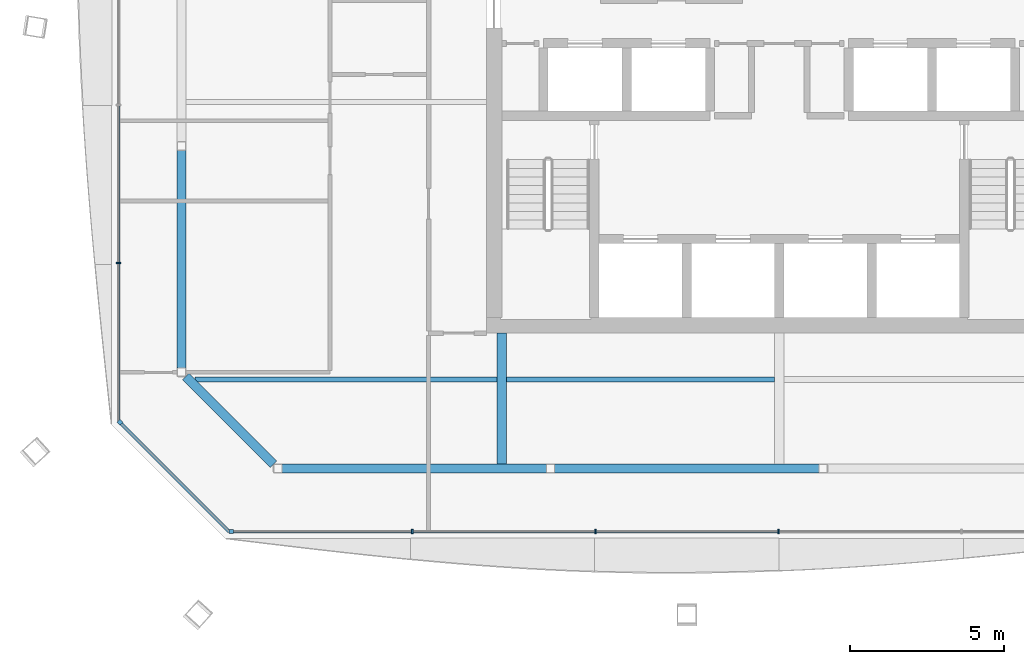
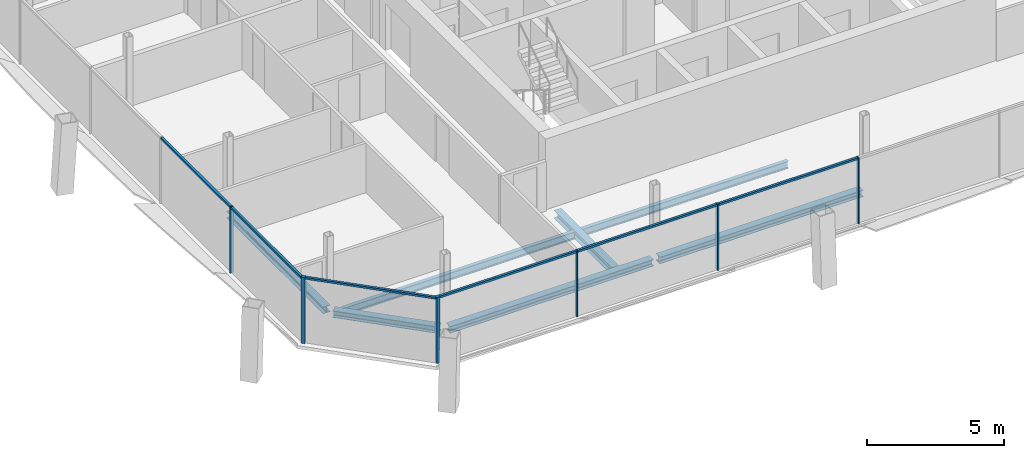
# One storey, part 4 of 17: 12 members, 7 beams, 3 elements without a shape of their own.
"""IFC4 building model written with IfcOpenShell, lengths in metres."""

import ifcopenshell
import ifcopenshell.guid

model = None  # the IFC model being written
_history = None  # IfcOwnerHistory: only IFC2X3 demands one
_inside = {}  # id of a spatial element -> (the spatial element, [elements in it])
_under = {}  # id of a project, library or spatial element -> (it, [spatial elements below it])
_declared = {}  # id of a project -> (the project, [libraries it declares])
_typed = {}  # id of a type object -> (the type object, [elements of that type])
_made_of = {}  # id of a material, layer set ... -> (it, [elements and type objects made of it])


def new_model(schema):
    """Start an empty IFC model of exactly this schema.

    Asked for "IFC4X3", IfcOpenShell would pick the latest addendum, in which some entities
    have other attributes; the version numbers below select the first issue.
    IFC2X3 requires an IfcOwnerHistory on every rooted entity: one is made here for all.
    """
    global model, _history
    if schema == "IFC4X3":
        model = ifcopenshell.file(schema_version=(4, 3, 0, 0))
    else:
        model = ifcopenshell.file(schema=schema)
    _inside.clear()
    _under.clear()
    _declared.clear()
    _typed.clear()
    _made_of.clear()
    _history = None
    if model.schema == "IFC2X3":
        org = make("IfcOrganization", Name="unknown")
        user = make(
            "IfcPersonAndOrganization",
            ThePerson=make("IfcPerson", FamilyName="unknown"),
            TheOrganization=org,
        )
        app = make(
            "IfcApplication",
            ApplicationDeveloper=org,
            Version="unknown",
            ApplicationFullName="unknown",
            ApplicationIdentifier="unknown",
        )
        _history = make(
            "IfcOwnerHistory",
            OwningUser=user,
            OwningApplication=app,
            ChangeAction="ADDED",
            CreationDate=0,
        )
    return model


def make(cls, **values):
    """One entity of the class cls with the attributes given. An attribute that is None is left unset."""
    return model.create_entity(
        cls, **{name: value for name, value in values.items() if value is not None}
    )


def rooted(cls, **values):
    """An entity with a GlobalId (a new one), such as an element, a storey or a relation."""
    return make(cls, GlobalId=ifcopenshell.guid.new(), OwnerHistory=_history, **values)


def si_unit(unit_type, name, prefix=None):
    """IfcSIUnit, for example si_unit("LENGTHUNIT", "METRE", prefix="MILLI")."""
    return make("IfcSIUnit", UnitType=unit_type, Prefix=prefix, Name=name)


def assignment(units):
    """IfcUnitAssignment: the units of a project."""
    return None if units is None else make("IfcUnitAssignment", Units=units)


def point(xyz):
    """IfcCartesianPoint."""
    return None if xyz is None else make("IfcCartesianPoint", Coordinates=xyz)


def direction(xyz):
    """IfcDirection."""
    return None if xyz is None else make("IfcDirection", DirectionRatios=xyz)


def frame(location, z_axis=None, x_axis=None):
    """IfcAxis2Placement3D, a coordinate frame: its origin and axes. An axis left out is left unset."""
    return make(
        "IfcAxis2Placement3D",
        Location=point(location),
        Axis=direction(z_axis),
        RefDirection=direction(x_axis),
    )


def frame_2d(location, x_axis=None):
    """IfcAxis2Placement2D, a coordinate frame in the plane: its origin and x axis."""
    return make(
        "IfcAxis2Placement2D", Location=point(location), RefDirection=direction(x_axis)
    )


def origin():
    """The frame at (0, 0, 0) with its axes left unset."""
    return frame((0.0, 0.0, 0.0))


def origin_2d():
    """The frame at (0, 0) in the plane with its x axis left unset."""
    return frame_2d((0.0, 0.0))


def place(relative_to, where):
    """IfcLocalPlacement: puts the frame where relative to a parent placement (None: the world)."""
    return make(
        "IfcLocalPlacement", PlacementRelTo=relative_to, RelativePlacement=where
    )


def context(
    kind, dimensions, precision=None, world=None, true_north=None, identifier=None
):
    """IfcGeometricRepresentationContext, for example the 3D "Model" context."""
    return make(
        "IfcGeometricRepresentationContext",
        ContextIdentifier=identifier,
        ContextType=kind,
        CoordinateSpaceDimension=dimensions,
        Precision=precision,
        WorldCoordinateSystem=world,
        TrueNorth=true_north,
    )


def subcontext(parent, identifier, kind, view, scale=None):
    """IfcGeometricRepresentationSubContext, for example "Body" below "Model"."""
    return make(
        "IfcGeometricRepresentationSubContext",
        ContextIdentifier=identifier,
        ContextType=kind,
        ParentContext=parent,
        TargetScale=scale,
        TargetView=view,
    )


def project(units=None, contexts=None):
    """IfcProject with its units and contexts."""
    return rooted(
        "IfcProject",
        Name="project",
        RepresentationContexts=contexts,
        UnitsInContext=assignment(units),
    )


def spatial(cls, under=None, at=None, **own):
    """A site, building, storey or space (cls), placed at a placement, below another one or the project."""
    s = rooted(cls, ObjectPlacement=at, **own)
    if under is not None:
        _under.setdefault(under.id(), (under, []))[1].append(s)
    return s


def profile(cls, at=None, kind="AREA", **sizes):
    """A parametric profile (cls). Its sizes go by their IFC names, for example OverallWidth=200.0."""
    return make(cls, ProfileType=kind, Position=at, **sizes)


def rectangle(**sizes):
    """IfcRectangleProfileDef."""
    return profile("IfcRectangleProfileDef", **sizes)


def i_section(**sizes):
    """IfcIShapeProfileDef."""
    return profile("IfcIShapeProfileDef", **sizes)


def extrude(swept, where, along, depth):
    """IfcExtrudedAreaSolid: the profile swept, set in the frame where, extruded along a direction by depth."""
    return make(
        "IfcExtrudedAreaSolid",
        SweptArea=swept,
        Position=where,
        ExtrudedDirection=direction(along),
        Depth=depth,
    )


def shape(context_of_items, identifier, shape_type, items):
    """IfcShapeRepresentation: the items that make up one representation, for example the "Body"."""
    return make(
        "IfcShapeRepresentation",
        ContextOfItems=context_of_items,
        RepresentationIdentifier=identifier,
        RepresentationType=shape_type,
        Items=items,
    )


def material(Name=None, Category=None):
    """IfcMaterial."""
    return make("IfcMaterial", Name=Name, Category=Category)


def material_profile(
    of_material, cross_section, Name=None, Category=None, Priority=None
):
    """IfcMaterialProfile: a cross section and its material."""
    return make(
        "IfcMaterialProfile",
        Name=Name,
        Material=of_material,
        Profile=cross_section,
        Priority=Priority,
        Category=Category,
    )


def profile_set(profiles, Name=None, composite=None):
    """IfcMaterialProfileSet."""
    return make(
        "IfcMaterialProfileSet",
        Name=Name,
        MaterialProfiles=profiles,
        CompositeProfile=composite,
    )


def made_of(thing, what):
    """Note that an element or type object is made of a material, layer set ...; save() writes the relation."""
    if what is not None:
        _made_of.setdefault(what.id(), (what, []))[1].append(thing)
    return thing


def type_object(cls, material=None, **own):
    """A type object (cls), such as IfcWallType, which elements share."""
    return made_of(rooted(cls, **own), material)


def element(
    cls,
    number,
    at=None,
    inside=None,
    cuts=None,
    type_object=None,
    material=None,
    context=None,
    identifier="Body",
    shape_type=None,
    held_by="IfcProductDefinitionShape",
    body=None,
    shapes=None,
    **own,
):
    """One element of the class cls, such as IfcWall. Its Tag is "e" and its number.

    at: its placement. inside: the storey or other place that contains it. cuts: it is an
    opening in that element (IfcRelVoidsElement). A single representation is given by context,
    identifier, shape_type and body (its items); several are given by shapes. held_by: the class
    of the entity that holds the representations. save() writes the other relations.
    """
    e = rooted(cls, Tag="e%d" % number, ObjectPlacement=at, **own)
    if body is not None:
        shapes = [shape(context, identifier, shape_type, body)]
    if shapes is not None:
        e.Representation = make(held_by, Representations=shapes)
    if inside is not None:
        _inside.setdefault(inside.id(), (inside, []))[1].append(e)
    if cuts is not None:
        rooted(
            "IfcRelVoidsElement", RelatingBuildingElement=cuts, RelatedOpeningElement=e
        )
    if type_object is not None:
        _typed.setdefault(type_object.id(), (type_object, []))[1].append(e)
    return made_of(e, material)


def aggregate(whole, parts):
    """IfcRelAggregates: a whole, such as a stair, and the parts it consists of."""
    return rooted("IfcRelAggregates", RelatingObject=whole, RelatedObjects=parts)


def save(model, path):
    """Write the relations noted so far, then the file.

    IfcRelAggregates (storeys below a building ...), IfcRelContainedInSpatialStructure (elements
    in a storey), IfcRelDefinesByType, IfcRelAssociatesMaterial and IfcRelDeclares: one each for
    every whole, place, type object, material and project.
    """
    for whole, parts in _under.values():
        aggregate(whole, parts)
    for where, things in _inside.values():
        rooted(
            "IfcRelContainedInSpatialStructure",
            RelatedElements=things,
            RelatingStructure=where,
        )
    for kind, things in _typed.values():
        rooted("IfcRelDefinesByType", RelatedObjects=things, RelatingType=kind)
    for what, things in _made_of.values():
        rooted("IfcRelAssociatesMaterial", RelatedObjects=things, RelatingMaterial=what)
    for by, libraries in _declared.values():
        rooted("IfcRelDeclares", RelatingContext=by, RelatedDefinitions=libraries)
    model.write(path)


model = new_model("IFC4")

# Units and contexts
model_context = context("Model", 3, precision=1e-05, world=origin(), true_north=direction((0.0, 1.0)))
body_context = subcontext(model_context, "Body", "Model", "MODEL_VIEW")
ifc_project = project(units=[si_unit("LENGTHUNIT", "METRE"), si_unit("AREAUNIT", "SQUARE_METRE"), si_unit("VOLUMEUNIT", "CUBIC_METRE"), si_unit("PLANEANGLEUNIT", "RADIAN"), si_unit("MASSUNIT", "GRAM", prefix="KILO")], contexts=[model_context])

# Site, building, storey
site_placement = place(None, origin())
site = spatial("IfcSite", under=ifc_project, at=site_placement, CompositionType="ELEMENT")
building_placement = place(site_placement, origin())
building = spatial("IfcBuilding", under=site, at=building_placement, Name="Tskaro Facet Tower", CompositionType="ELEMENT")
storey_placement = place(building_placement, frame((0.0, 0.0, 232.949951171875)))
storey = spatial("IfcBuildingStorey", under=building, at=storey_placement, Name="L60", CompositionType="ELEMENT", Elevation=232.949951171875)

# Curtain wall, member
ifc_material_1 = material(Name="Bronze anodised aluminium 6063-T6", Category="aluminium")
curtain_wall_type = type_object("IfcCurtainWallType", Name="Bronze residence curtain wall (FW3)", PredefinedType="NOTDEFINED", material=ifc_material_1)
curtain_wall_1_placement = place(storey_placement, origin())
curtain_wall_1 = element("IfcCurtainWall", 1, at=curtain_wall_1_placement, inside=storey, type_object=curtain_wall_type, Name="FW3 south facet L60", PredefinedType="NOTDEFINED")
ifc_material_profile_1 = material_profile(ifc_material_1, rectangle(XDim=0.139892578125, YDim=0.139892578125, at=origin_2d()), Name="Corner post 140x140")
ifc_profile_set_1 = profile_set([ifc_material_profile_1], Name="Bronze anodised aluminium 6063-T6")
member_type_1 = type_object("IfcMemberType", Name="FW3 bronze corner post 140x140", PredefinedType="MULLION", material=ifc_profile_set_1)
member_1_placement = place(storey_placement, frame((-17.77392578125, -18.43701171875, 0.0), z_axis=(0.0, 0.0, 1.0), x_axis=(1.0, 0.0, 0.0)))
member_1 = element("IfcMember", 2, at=member_1_placement, type_object=member_type_1, Name="FW3 south corner post", PredefinedType="MULLION", context=body_context, shape_type="SweptSolid", body=[
    extrude(rectangle(XDim=0.139892578125, YDim=0.139892578125, at=origin_2d()), origin(), (0.0, 0.0, 1.0), 2.949951171875),
])

curtain_wall_2_placement = place(storey_placement, origin())
curtain_wall_2 = element("IfcCurtainWall", 3, at=curtain_wall_2_placement, inside=storey, type_object=curtain_wall_type, Name="FW3 south-west facet L60", PredefinedType="NOTDEFINED")
member_2_placement = place(storey_placement, frame((-21.387451171875, -14.8935546875, 0.0), z_axis=(0.0, 0.0, 1.0), x_axis=(0.707106781187, -0.707106781187, 0.0)))
member_2 = element("IfcMember", 4, at=member_2_placement, type_object=member_type_1, Name="FW3 south-west corner post", PredefinedType="MULLION", context=body_context, shape_type="SweptSolid", body=[
    extrude(rectangle(XDim=0.139892578125, YDim=0.139892578125, at=origin_2d()), origin(), (0.0, 0.0, 1.0), 2.949951171875),
])

# Member
ifc_material_profile_2 = material_profile(ifc_material_1, rectangle(XDim=0.050048828125, YDim=0.139892578125, at=origin_2d()), Name="Mullion 50x140")
ifc_profile_set_2 = profile_set([ifc_material_profile_2], Name="Bronze anodised aluminium 6063-T6")
member_type_2 = type_object("IfcMemberType", Name="FW3 bronze mullion 50x140", PredefinedType="MULLION", material=ifc_profile_set_2)
member_3_placement = place(storey_placement, frame((-11.906494140625, -18.43701171875, 0.0), z_axis=(0.0, 0.0, 1.0), x_axis=(1.0, 0.0, 0.0)))
member_3 = element("IfcMember", 5, at=member_3_placement, type_object=member_type_2, Name="FW3 south mullion 1", PredefinedType="MULLION", context=body_context, shape_type="SweptSolid", body=[
    extrude(rectangle(XDim=0.050048828125, YDim=0.139892578125, at=origin_2d()), origin(), (0.0, 0.0, 1.0), 2.949951171875),
])

member_4_placement = place(storey_placement, frame((-5.96875, -18.43701171875, 0.0), z_axis=(0.0, 0.0, 1.0), x_axis=(1.0, 0.0, 0.0)))
member_4 = element("IfcMember", 6, at=member_4_placement, type_object=member_type_2, Name="FW3 south mullion 2", PredefinedType="MULLION", context=body_context, shape_type="SweptSolid", body=[
    extrude(rectangle(XDim=0.050048828125, YDim=0.139892578125, at=origin_2d()), origin(), (0.0, 0.0, 1.0), 2.949951171875),
])

member_5_placement = place(storey_placement, frame((-0.03125, -18.43701171875, 0.0), z_axis=(0.0, 0.0, 1.0), x_axis=(1.0, 0.0, 0.0)))
member_5 = element("IfcMember", 7, at=member_5_placement, type_object=member_type_2, Name="FW3 south mullion 3", PredefinedType="MULLION", context=body_context, shape_type="SweptSolid", body=[
    extrude(rectangle(XDim=0.050048828125, YDim=0.139892578125, at=origin_2d()), origin(), (0.0, 0.0, 1.0), 2.949951171875),
])

# Curtain wall, member
curtain_wall_3_placement = place(storey_placement, origin())
curtain_wall_3 = element("IfcCurtainWall", 8, at=curtain_wall_3_placement, inside=storey, type_object=curtain_wall_type, Name="FW3 west facet L60", PredefinedType="NOTDEFINED")
member_6_placement = place(storey_placement, frame((-21.43701171875, -9.719482421875, 0.0), z_axis=(0.0, 0.0, 1.0), x_axis=(0.0, -1.0, 0.0)))
member_6 = element("IfcMember", 9, at=member_6_placement, type_object=member_type_2, Name="FW3 west mullion 4", PredefinedType="MULLION", context=body_context, shape_type="SweptSolid", body=[
    extrude(rectangle(XDim=0.050048828125, YDim=0.139892578125, at=origin_2d()), origin(), (0.0, 0.0, 1.0), 2.949951171875),
])

# Member
ifc_material_profile_3 = material_profile(ifc_material_1, rectangle(XDim=0.10009765625, YDim=0.090087890625, at=origin_2d()), Name="Transom 100x90")
ifc_profile_set_3 = profile_set([ifc_material_profile_3], Name="Bronze anodised aluminium 6063-T6")
member_type_3 = type_object("IfcMemberType", Name="FW3 bronze transom 100x90", PredefinedType="USERDEFINED", material=ifc_profile_set_3)
member_7_placement = place(storey_placement, frame((-17.7041015625, -18.43701171875, 2.905029296875), z_axis=(1.0, 0.0, 0.0), x_axis=(0.0, 1.0, 0.0)))
member_7 = element("IfcMember", 10, at=member_7_placement, type_object=member_type_3, Name="FW3 south transom 1.1", ObjectType="TRANSOM", PredefinedType="USERDEFINED", context=body_context, shape_type="SweptSolid", body=[
    extrude(rectangle(XDim=0.10009765625, YDim=0.090087890625, at=origin_2d()), origin(), (0.0, 0.0, 1.0), 5.772705078125),
])

member_8_placement = place(storey_placement, frame((-11.88134765625, -18.43701171875, 2.905029296875), z_axis=(1.0, 0.0, 0.0), x_axis=(0.0, 1.0, 0.0)))
member_8 = element("IfcMember", 11, at=member_8_placement, type_object=member_type_3, Name="FW3 south transom 2.1", ObjectType="TRANSOM", PredefinedType="USERDEFINED", context=body_context, shape_type="SweptSolid", body=[
    extrude(rectangle(XDim=0.10009765625, YDim=0.090087890625, at=origin_2d()), origin(), (0.0, 0.0, 1.0), 5.887451171875),
])

member_9_placement = place(storey_placement, frame((-5.94384765625, -18.43701171875, 2.905029296875), z_axis=(1.0, 0.0, 0.0), x_axis=(0.0, 1.0, 0.0)))
member_9 = element("IfcMember", 12, at=member_9_placement, type_object=member_type_3, Name="FW3 south transom 3.1", ObjectType="TRANSOM", PredefinedType="USERDEFINED", context=body_context, shape_type="SweptSolid", body=[
    extrude(rectangle(XDim=0.10009765625, YDim=0.090087890625, at=origin_2d()), origin(), (0.0, 0.0, 1.0), 5.8876953125),
])

aggregate(curtain_wall_1, [member_1, member_3, member_4, member_5, member_7, member_8, member_9])

member_10_placement = place(storey_placement, frame((-21.43701171875, -4.619873046875, 2.905029296875), z_axis=(0.0, -1.0, 0.0), x_axis=(1.0, 0.0, 0.0)))
member_10 = element("IfcMember", 13, at=member_10_placement, type_object=member_type_3, Name="FW3 west transom 4.1", ObjectType="TRANSOM", PredefinedType="USERDEFINED", context=body_context, shape_type="SweptSolid", body=[
    extrude(rectangle(XDim=0.10009765625, YDim=0.090087890625, at=origin_2d()), origin(), (0.0, 0.0, 1.0), 5.074462890625),
])

member_11_placement = place(storey_placement, frame((-21.43701171875, -9.744384765625, 2.905029296875), z_axis=(0.0, -1.0, 0.0), x_axis=(1.0, 0.0, 0.0)))
member_11 = element("IfcMember", 14, at=member_11_placement, type_object=member_type_3, Name="FW3 west transom 5.1", ObjectType="TRANSOM", PredefinedType="USERDEFINED", context=body_context, shape_type="SweptSolid", body=[
    extrude(rectangle(XDim=0.10009765625, YDim=0.090087890625, at=origin_2d()), origin(), (0.0, 0.0, 1.0), 5.099609375),
])

aggregate(curtain_wall_3, [member_6, member_10, member_11])

member_12_placement = place(storey_placement, frame((-21.337890625, -14.943115234375, 2.905029296875), z_axis=(0.707106781187, -0.707106781187, 0.0), x_axis=(0.707106781187, 0.707106781187, 0.0)))
member_12 = element("IfcMember", 15, at=member_12_placement, type_object=member_type_3, Name="FW3 south-west transom 1.1", ObjectType="TRANSOM", PredefinedType="USERDEFINED", context=body_context, shape_type="SweptSolid", body=[
    extrude(rectangle(XDim=0.10009765625, YDim=0.090087890625, at=origin_2d()), origin(), (0.0, 0.0, 1.0), 4.941162109375),
])

aggregate(curtain_wall_2, [member_2, member_12])

# Beams
ifc_material_2 = material(Name="Steel S355J2", Category="steel")
ifc_material_profile_4 = material_profile(ifc_material_2, i_section(OverallWidth=0.300048828125, OverallDepth=0.300048828125, WebThickness=0.010986328125, FlangeThickness=0.01904296875, FilletRadius=0.027099609375, at=origin_2d()), Name="HE 300 B")
ifc_profile_set_4 = profile_set([ifc_material_profile_4], Name="Steel S355J2")
beam_type_1 = type_object("IfcBeamType", Name="HE 300 B ring beam", PredefinedType="BEAM", material=ifc_profile_set_4)
beam_1_placement = place(storey_placement, frame((-16.137939453125, -16.39111328125, -0.2900390625), z_axis=(1.0, 0.0, 0.0), x_axis=(0.0, 1.0, 0.0)))
element("IfcBeam", 16, at=beam_1_placement, inside=storey, type_object=beam_type_1, Name="HE 300 B EB1-5", PredefinedType="BEAM", context=body_context, shape_type="SweptSolid", body=[
    extrude(i_section(OverallWidth=0.300048828125, OverallDepth=0.300048828125, WebThickness=0.010986328125, FlangeThickness=0.01904296875, FilletRadius=0.027099609375, at=origin_2d()), origin(), (0.0, 0.0, 1.0), 8.5849609375),
])
beam_2_placement = place(storey_placement, frame((-7.29296875, -16.39111328125, -0.2900390625), z_axis=(1.0, 0.0, 0.0), x_axis=(0.0, 1.0, 0.0)))
element("IfcBeam", 17, at=beam_2_placement, inside=storey, type_object=beam_type_1, Name="HE 300 B EB2-5", PredefinedType="BEAM", context=body_context, shape_type="SweptSolid", body=[
    extrude(i_section(OverallWidth=0.300048828125, OverallDepth=0.300048828125, WebThickness=0.010986328125, FlangeThickness=0.01904296875, FilletRadius=0.027099609375, at=origin_2d()), origin(), (0.0, 0.0, 1.0), 8.5859375),
])
beam_3_placement = place(storey_placement, frame((-19.39111328125, -6.06689453125, -0.2900390625), z_axis=(0.0, -1.0, 0.0), x_axis=(1.0, 0.0, 0.0)))
element("IfcBeam", 18, at=beam_3_placement, inside=storey, type_object=beam_type_1, Name="HE 300 B EB16-5", PredefinedType="BEAM", context=body_context, shape_type="SweptSolid", body=[
    extrude(i_section(OverallWidth=0.300048828125, OverallDepth=0.300048828125, WebThickness=0.010986328125, FlangeThickness=0.01904296875, FilletRadius=0.027099609375, at=origin_2d()), origin(), (0.0, 0.0, 1.0), 7.071044921875),
])
beam_4_placement = place(storey_placement, frame((-19.255126953125, -13.40380859375, -0.2900390625), z_axis=(0.707106781187, -0.707106781187, 0.0), x_axis=(0.707106781187, 0.707106781187, 0.0)))
element("IfcBeam", 19, at=beam_4_placement, inside=storey, type_object=beam_type_1, Name="HE 300 B EB17-5", PredefinedType="BEAM", context=body_context, shape_type="SweptSolid", body=[
    extrude(i_section(OverallWidth=0.300048828125, OverallDepth=0.300048828125, WebThickness=0.010986328125, FlangeThickness=0.01904296875, FilletRadius=0.027099609375, at=origin_2d()), origin(), (0.0, 0.0, 1.0), 4.032470703125),
])
ifc_material_profile_5 = material_profile(ifc_material_2, i_section(OverallWidth=0.300048828125, OverallDepth=0.35009765625, WebThickness=0.010009765625, FlangeThickness=0.017578125, FilletRadius=0.027099609375, at=origin_2d()), Name="HE 360 A")
ifc_profile_set_5 = profile_set([ifc_material_profile_5], Name="Steel S355J2")
beam_type_2 = type_object("IfcBeamType", Name="HE 360 A girder", PredefinedType="BEAM", material=ifc_profile_set_5)
beam_5_placement = place(storey_placement, frame((-9.0, -16.240966796875, -0.31494140625), z_axis=(0.0, 1.0, 0.0), x_axis=(-1.0, 0.0, 0.0)))
element("IfcBeam", 20, at=beam_5_placement, inside=storey, type_object=beam_type_2, Name="HE 360 A GB3-1-5", PredefinedType="BEAM", context=body_context, shape_type="SweptSolid", body=[
    extrude(i_section(OverallWidth=0.300048828125, OverallDepth=0.35009765625, WebThickness=0.010009765625, FlangeThickness=0.017578125, FilletRadius=0.027099609375, at=origin_2d()), origin(), (0.0, 0.0, 1.0), 4.240966796875),
])
ifc_material_profile_6 = material_profile(ifc_material_2, i_section(OverallWidth=0.159912109375, OverallDepth=0.330078125, WebThickness=0.007568359375, FlangeThickness=0.011474609375, FilletRadius=0.01806640625, at=origin_2d()), Name="IPE 330")
ifc_profile_set_6 = profile_set([ifc_material_profile_6], Name="Steel S355J2")
beam_type_3 = type_object("IfcBeamType", Name="IPE 330 secondary beam", PredefinedType="BEAM", material=ifc_profile_set_6)
beam_6_placement = place(storey_placement, frame((-18.947021484375, -13.5, -0.304931640625), z_axis=(1.0, 0.0, 0.0), x_axis=(0.0, 1.0, 0.0)))
element("IfcBeam", 21, at=beam_6_placement, inside=storey, type_object=beam_type_3, Name="IPE 330 SB2a-1-5", PredefinedType="BEAM", context=body_context, shape_type="SweptSolid", body=[
    extrude(i_section(OverallWidth=0.159912109375, OverallDepth=0.330078125, WebThickness=0.007568359375, FlangeThickness=0.011474609375, FilletRadius=0.01806640625, at=origin_2d()), origin(), (0.0, 0.0, 1.0), 9.797119140625),
])
beam_7_placement = place(storey_placement, frame((-8.85009765625, -13.5, -0.304931640625), z_axis=(1.0, 0.0, 0.0), x_axis=(0.0, 1.0, 0.0)))
element("IfcBeam", 22, at=beam_7_placement, inside=storey, type_object=beam_type_3, Name="IPE 330 SB2a-2-5", PredefinedType="BEAM", context=body_context, shape_type="SweptSolid", body=[
    extrude(i_section(OverallWidth=0.159912109375, OverallDepth=0.330078125, WebThickness=0.007568359375, FlangeThickness=0.011474609375, FilletRadius=0.01806640625, at=origin_2d()), origin(), (0.0, 0.0, 1.0), 8.7001953125),
])

save(model, "model.ifc")
